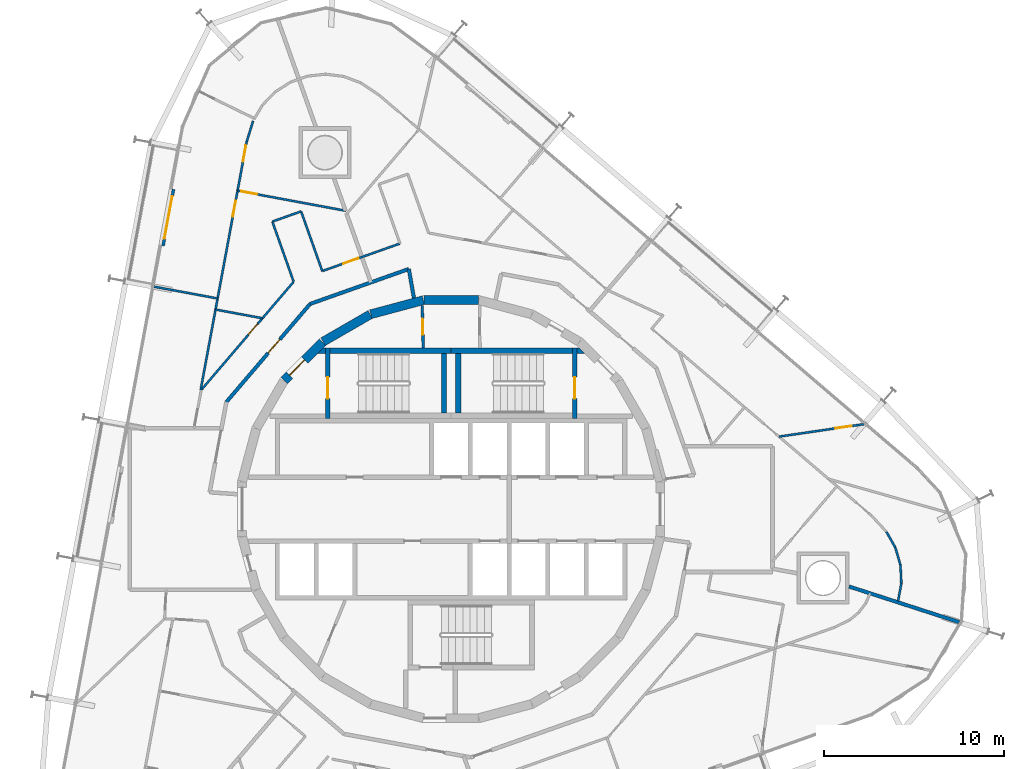
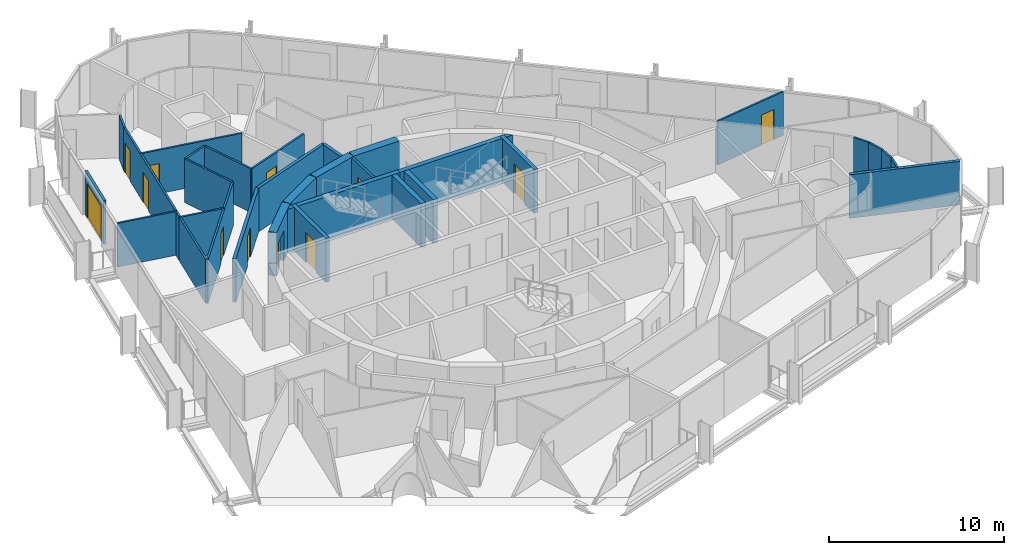
# One storey, part 14 of 17: 34 walls, 12 doors, 12 openings.
"""IFC4 building model written with IfcOpenShell, lengths in metres."""

from ifc_helpers import new_model, si_unit, direction, frame, frame_2d, origin, place, context, subcontext, project, spatial, polyline, rectangle, outline, extrude, material, layer, layer_set, type_object, element, fill, save


model = new_model("IFC4")

# Units and contexts
model_context = context("Model", 3, precision=1e-05, world=origin(), true_north=direction((0.0, 1.0)))
body_context = subcontext(model_context, "Body", "Model", "MODEL_VIEW")
ifc_project = project(units=[si_unit("LENGTHUNIT", "METRE"), si_unit("AREAUNIT", "SQUARE_METRE"), si_unit("VOLUMEUNIT", "CUBIC_METRE"), si_unit("PLANEANGLEUNIT", "RADIAN"), si_unit("MASSUNIT", "GRAM", prefix="KILO")], contexts=[model_context])

# Site, building, storey
site_placement = place(None, origin())
site = spatial("IfcSite", under=ifc_project, at=site_placement, CompositionType="ELEMENT")
building_placement = place(site_placement, origin())
building = spatial("IfcBuilding", under=site, at=building_placement, Name="Spindle Arch Residences", CompositionType="ELEMENT")
storey_placement = place(building_placement, frame((0.0, 0.0, 179.699951171875)))
storey = spatial("IfcBuildingStorey", under=building, at=storey_placement, Name="L45", CompositionType="ELEMENT", Elevation=179.699951171875)

# Walls
ifc_material_1 = material(Name="Concrete C50/60", Category="concrete")
ifc_layer_1 = layer(ifc_material_1, 0.5)
ifc_layer_set_1 = layer_set([ifc_layer_1], Name="Core outline wall 500")
wall_type_1 = type_object("IfcWallType", Name="Core outline wall 500", PredefinedType="SHEAR", material=ifc_layer_set_1)
for number, where, z_axis, x_axis, name in (
    (1, (1.516357421875, 11.647216796875, 0.0), (0.0, 0.0, 1.0), (-1.0, 0.0, 0.0), "Core outline wall 12"),
    (2, (-1.5498046875, 11.642822265625, 0.0), (0.0, 0.0, 1.0), (-0.965948410781, -0.258734743916, 0.0), "Core outline wall 13"),
    (3, (-4.510498046875, 10.84521484375, 0.0), (0.0, 0.0, 1.0), (-0.865975092491, -0.500087131594, 0.0), "Core outline wall 14"),
):
    element("IfcWall", number, at=place(storey_placement, frame(where, z_axis=z_axis, x_axis=x_axis)), inside=storey, type_object=wall_type_1, Name=name, PredefinedType="SHEAR", context=body_context, shape_type="SweptSolid", body=[
        extrude(rectangle(XDim=3.03271484375, YDim=0.5, at=frame_2d((1.516357421875, 0.0))), origin(), (0.0, 0.0, 1.0), 3.050048828125),
    ])

# Wall, opening, door
wall_1_placement = place(storey_placement, frame((-7.163818359375, 9.30810546875, 0.0), z_axis=(0.0, 0.0, 1.0), x_axis=(-0.707106781187, -0.707106781187, 0.0)))
wall_1 = element("IfcWall", 4, at=wall_1_placement, inside=storey, type_object=wall_type_1, Name="Core outline wall 15", PredefinedType="SHEAR", context=body_context, shape_type="SweptSolid", body=[
    extrude(rectangle(XDim=3.032470703125, YDim=0.5, at=frame_2d((1.51611328125, 0.0))), origin(), (0.0, 0.0, 1.0), 3.050048828125),
])
opening_1_placement = place(wall_1_placement, frame((1.416259765625, 0.0, 0.0)))
opening_1 = element("IfcOpeningElement", 5, at=opening_1_placement, cuts=wall_1, Name="Opening R4C0-AD02", PredefinedType="OPENING", context=body_context, shape_type="SweptSolid", body=[
    extrude(rectangle(XDim=1.199951171875, YDim=2.10009765625, at=frame_2d((0.60009765625, 1.050048828125))), frame((0.0, 0.260009765625, 0.0), z_axis=(0.0, -1.0, 0.0), x_axis=(1.0, 0.0, 0.0)), (0.0, 0.0, 1.0), 0.52001953125),
])
ifc_material_2 = material(Name="Steel, fire-resisting door", Category="steel")
door_type_1 = type_object("IfcDoorType", Name="Stair airlock door 1200x2100", OperationType="SINGLE_SWING_LEFT", PredefinedType="DOOR", material=ifc_material_2)
door_1_placement = place(opening_1_placement, origin())
door_1 = element("IfcDoor", 6, at=door_1_placement, inside=storey, type_object=door_type_1, Name="Stair airlock door R4C0-AD02", OperationType="SINGLE_SWING_RIGHT", OverallHeight=2.10009765625, OverallWidth=1.199951171875, PredefinedType="DOOR", context=body_context, shape_type="SweptSolid", body=[
    extrude(rectangle(XDim=1.199951171875, YDim=2.10009765625, at=frame_2d((0.60009765625, 1.050048828125))), frame((0.0, 0.02490234375, 0.0), z_axis=(0.0, -1.0, 0.0), x_axis=(1.0, 0.0, 0.0)), (0.0, 0.0, 1.0), 0.050048828125),
])
fill(opening_1, door_1)

# Walls
ifc_material_3 = material(Name="Calcium silicate block, plastered")
ifc_layer_2 = layer(ifc_material_3, 0.199951171875)
ifc_layer_set_2 = layer_set([ifc_layer_2], Name="Corridor wall 200")
wall_type_2 = type_object("IfcWallType", Name="Corridor wall 200", PredefinedType="STANDARD", material=ifc_layer_set_2)
wall_2_placement = place(storey_placement, frame((-2.07373046875, 11.76123046875, 0.0), z_axis=(0.0, 0.0, 1.0), x_axis=(-0.1736412798, 0.984808969267, 0.0)))
element("IfcWall", 7, at=wall_2_placement, inside=storey, type_object=wall_type_2, Name="Corridor wall R4C0-W009", PredefinedType="STANDARD", context=body_context, shape_type="SweptSolid", body=[
    extrude(rectangle(XDim=1.6435546875, YDim=0.199951171875, at=frame_2d((0.82177734375, 0.0))), origin(), (0.0, 0.0, 1.0), 3.050048828125),
])
wall_3_placement = place(storey_placement, frame((-2.359130859375, 13.3798828125, 0.0), z_axis=(0.0, 0.0, 1.0), x_axis=(-0.942647529236, -0.333789807551, 0.0)))
element("IfcWall", 8, at=wall_3_placement, inside=storey, type_object=wall_type_2, Name="Corridor wall R4C0-W010", PredefinedType="STANDARD", context=body_context, shape_type="SweptSolid", body=[
    extrude(rectangle(XDim=5.8330078125, YDim=0.199951171875, at=frame_2d((2.91650390625, 0.0))), origin(), (0.0, 0.0, 1.0), 3.050048828125),
])

# Wall, opening, door
wall_4_placement = place(storey_placement, frame((-7.857666015625, 11.432861328125, 0.0), z_axis=(0.0, 0.0, 1.0), x_axis=(-0.649440801937, -0.760412154545, 0.0)))
wall_4 = element("IfcWall", 9, at=wall_4_placement, inside=storey, type_object=wall_type_2, Name="Corridor wall R4C0-W011", PredefinedType="STANDARD", context=body_context, shape_type="SweptSolid", body=[
    extrude(rectangle(XDim=7.180908203125, YDim=0.199951171875, at=frame_2d((3.59033203125, 0.0))), origin(), (0.0, 0.0, 1.0), 3.050048828125),
])
opening_2_placement = place(wall_4_placement, frame((2.60009765625, 0.0, 0.0)))
opening_2 = element("IfcOpeningElement", 10, at=opening_2_placement, cuts=wall_4, Name="Opening R4C0-FD03", PredefinedType="OPENING", context=body_context, shape_type="SweptSolid", body=[
    extrude(rectangle(XDim=1.0, YDim=2.10009765625, at=frame_2d((0.5, 1.050048828125))), frame((0.0, 0.10986328125, 0.0), z_axis=(0.0, -1.0, 0.0), x_axis=(1.0, 0.0, 0.0)), (0.0, 0.0, 1.0), 0.219970703125),
])
ifc_material_4 = material(Name="Timber, fire-resisting door set", Category="wood")
door_type_2 = type_object("IfcDoorType", Name="Flat entrance door 1000x2100", OperationType="NOTDEFINED", PredefinedType="DOOR", material=ifc_material_4)
door_2_placement = place(opening_2_placement, origin())
door_2 = element("IfcDoor", 11, at=door_2_placement, inside=storey, type_object=door_type_2, Name="Flat entrance door R4C0-FD03", OperationType="SINGLE_SWING_LEFT", OverallHeight=2.10009765625, OverallWidth=1.0, PredefinedType="DOOR", context=body_context, shape_type="SweptSolid", body=[
    extrude(rectangle(XDim=1.0, YDim=2.10009765625, at=frame_2d((0.5, 1.050048828125))), frame((0.0, 0.02490234375, 0.0), z_axis=(0.0, -1.0, 0.0), x_axis=(1.0, 0.0, 0.0)), (0.0, 0.0, 1.0), 0.050048828125),
])
fill(opening_2, door_2)

ifc_material_5 = material(Name="Plasterboard on steel studs", Category="steel")
ifc_layer_3 = layer(ifc_material_5, 0.1201171875)
ifc_layer_set_3 = layer_set([ifc_layer_3], Name="Flat partition 120")
wall_type_3 = type_object("IfcWallType", Name="Flat partition 120", PredefinedType="PARTITIONING", material=ifc_layer_set_3)
wall_5_placement = place(storey_placement, frame((22.99365234375, 4.73388671875, 0.0), z_axis=(0.0, 0.0, 1.0), x_axis=(-0.989449286977, -0.144879634529, 0.0)))
wall_5 = element("IfcWall", 12, at=wall_5_placement, inside=storey, type_object=wall_type_3, Name="Flat partition R4C0-W045", PredefinedType="PARTITIONING", context=body_context, shape_type="SweptSolid", body=[
    extrude(rectangle(XDim=4.782470703125, YDim=0.1201171875, at=frame_2d((2.39111328125, 0.0))), origin(), (0.0, 0.0, 1.0), 3.050048828125),
])
opening_3_placement = place(wall_5_placement, frame((0.699951171875, 0.0, 0.0)))
opening_3 = element("IfcOpeningElement", 13, at=opening_3_placement, cuts=wall_5, Name="Opening R4C0-ID03", PredefinedType="OPENING", context=body_context, shape_type="SweptSolid", body=[
    extrude(rectangle(XDim=0.89990234375, YDim=2.10009765625, at=frame_2d((0.449951171875, 1.050048828125))), frame((0.0, 0.070068359375, 0.0), z_axis=(0.0, -1.0, 0.0), x_axis=(1.0, 0.0, 0.0)), (0.0, 0.0, 1.0), 0.14013671875),
])
ifc_material_6 = material(Name="Timber door set", Category="wood")
door_type_3 = type_object("IfcDoorType", Name="Room door 900x2100", OperationType="NOTDEFINED", PredefinedType="DOOR", material=ifc_material_6)
door_3_placement = place(opening_3_placement, origin())
door_3 = element("IfcDoor", 14, at=door_3_placement, inside=storey, type_object=door_type_3, Name="Room door R4C0-ID03", OperationType="SINGLE_SWING_LEFT", OverallHeight=2.10009765625, OverallWidth=0.89990234375, PredefinedType="DOOR", context=body_context, shape_type="SweptSolid", body=[
    extrude(rectangle(XDim=0.89990234375, YDim=2.10009765625, at=frame_2d((0.449951171875, 1.050048828125))), frame((0.0, 0.02490234375, 0.0), z_axis=(0.0, -1.0, 0.0), x_axis=(1.0, 0.0, 0.0)), (0.0, 0.0, 1.0), 0.050048828125),
])
fill(opening_3, door_3)

# Walls
for number, where, z_axis, x_axis, name in (
    (15, (24.893798828125, -5.130615234375, 0.0), (0.0, 0.0, 1.0), (0.182140887528, 0.983272442963, 0.0), "Flat partition R4C0-W047"),
    (16, (25.078857421875, -4.131591796875, 0.0), (0.0, 0.0, 1.0), (-0.049494233422, 0.998774409393, 0.0), "Flat partition R4C0-W048"),
):
    element("IfcWall", number, at=place(storey_placement, frame(where, z_axis=z_axis, x_axis=x_axis)), inside=storey, type_object=wall_type_3, Name=name, PredefinedType="PARTITIONING", context=body_context, shape_type="SweptSolid", body=[
        extrude(rectangle(XDim=1.01611328125, YDim=0.1201171875, at=frame_2d((0.508056640625, 0.0))), origin(), (0.0, 0.0, 1.0), 3.050048828125),
    ])
for number, where, z_axis, x_axis, name in (
    (17, (25.028564453125, -3.11669921875, 0.0), (0.0, 0.0, 1.0), (-0.278559922069, 0.96041885124, 0.0), "Flat partition R4C0-W049"),
    (18, (24.74560546875, -2.14111328125, 0.0), (0.0, 0.0, 1.0), (-0.492199796518, 0.870482257319, 0.0), "Flat partition R4C0-W050"),
):
    element("IfcWall", number, at=place(storey_placement, frame(where, z_axis=z_axis, x_axis=x_axis)), inside=storey, type_object=wall_type_3, Name=name, PredefinedType="PARTITIONING", context=body_context, shape_type="SweptSolid", body=[
        extrude(rectangle(XDim=1.015869140625, YDim=0.1201171875, at=frame_2d((0.5078125, 0.0))), origin(), (0.0, 0.0, 1.0), 3.050048828125),
    ])

# Wall, opening, door
wall_6_placement = place(storey_placement, frame((-2.8515625, 14.796875, 0.0), z_axis=(0.0, 0.0, 1.0), x_axis=(-0.942629664375, -0.333840254973, 0.0)))
wall_6 = element("IfcWall", 19, at=wall_6_placement, inside=storey, type_object=wall_type_3, Name="Flat partition R4C0-W057", PredefinedType="PARTITIONING", context=body_context, shape_type="SweptSolid", body=[
    extrude(rectangle(XDim=4.59326171875, YDim=0.1201171875, at=frame_2d((2.296630859375, 0.0))), origin(), (0.0, 0.0, 1.0), 3.050048828125),
])
opening_4_placement = place(wall_6_placement, frame((2.451171875, 0.0, 0.0)))
opening_4 = element("IfcOpeningElement", 20, at=opening_4_placement, cuts=wall_6, Name="Opening R4C0-ID11", PredefinedType="OPENING", context=body_context, shape_type="SweptSolid", body=[
    extrude(rectangle(XDim=0.89990234375, YDim=2.10009765625, at=frame_2d((0.449951171875, 1.050048828125))), frame((0.0, 0.070068359375, 0.0), z_axis=(0.0, -1.0, 0.0), x_axis=(1.0, 0.0, 0.0)), (0.0, 0.0, 1.0), 0.14013671875),
])
door_4_placement = place(opening_4_placement, origin())
door_4 = element("IfcDoor", 21, at=door_4_placement, inside=storey, type_object=door_type_3, Name="Room door R4C0-ID11", OperationType="SINGLE_SWING_LEFT", OverallHeight=2.10009765625, OverallWidth=0.89990234375, PredefinedType="DOOR", context=body_context, shape_type="SweptSolid", body=[
    extrude(rectangle(XDim=0.89990234375, YDim=2.10009765625, at=frame_2d((0.449951171875, 1.050048828125))), frame((0.0, 0.02490234375, 0.0), z_axis=(0.0, -1.0, 0.0), x_axis=(1.0, 0.0, 0.0)), (0.0, 0.0, 1.0), 0.050048828125),
])
fill(opening_4, door_4)

# Walls
wall_7_placement = place(storey_placement, frame((-7.181396484375, 13.263427734375, 0.0), z_axis=(0.0, 0.0, 1.0), x_axis=(-0.333822798183, 0.942635846663, 0.0)))
element("IfcWall", 22, at=wall_7_placement, inside=storey, type_object=wall_type_3, Name="Flat partition R4C0-W067", PredefinedType="PARTITIONING", context=body_context, shape_type="SweptSolid", body=[
    extrude(rectangle(XDim=3.52734375, YDim=0.1201171875, at=frame_2d((1.763671875, 0.0))), origin(), (0.0, 0.0, 1.0), 3.050048828125),
])
wall_8_placement = place(storey_placement, frame((-8.35888671875, 16.58837890625, 0.0), z_axis=(0.0, 0.0, 1.0), x_axis=(-0.942661115325, -0.333751436931, 0.0)))
element("IfcWall", 23, at=wall_8_placement, inside=storey, type_object=wall_type_3, Name="Flat partition R4C0-W068", PredefinedType="PARTITIONING", context=body_context, shape_type="SweptSolid", body=[
    extrude(rectangle(XDim=1.699951171875, YDim=0.1201171875, at=frame_2d((0.85009765625, 0.0))), origin(), (0.0, 0.0, 1.0), 3.050048828125),
])
wall_9_placement = place(storey_placement, frame((-9.96142578125, 16.02099609375, 0.0), z_axis=(0.0, 0.0, 1.0), x_axis=(0.333803930912, -0.94264252806, 0.0)))
element("IfcWall", 24, at=wall_9_placement, inside=storey, type_object=wall_type_3, Name="Flat partition R4C0-W069", PredefinedType="PARTITIONING", context=body_context, shape_type="SweptSolid", body=[
    extrude(rectangle(XDim=3.555908203125, YDim=0.1201171875, at=frame_2d((1.77783203125, 0.0))), origin(), (0.0, 0.0, 1.0), 3.050048828125),
])

# Wall, opening, door
wall_10_placement = place(storey_placement, frame((-8.7744140625, 12.6689453125, 0.0), z_axis=(0.0, 0.0, 1.0), x_axis=(-0.649446157105, -0.760407580855, 0.0)))
wall_10 = element("IfcWall", 25, at=wall_10_placement, inside=storey, type_object=wall_type_3, Name="Flat partition R4C0-W070", PredefinedType="PARTITIONING", context=body_context, shape_type="SweptSolid", body=[
    extrude(rectangle(XDim=7.927490234375, YDim=0.1201171875, at=frame_2d((3.9638671875, 0.0))), origin(), (0.0, 0.0, 1.0), 3.050048828125),
])
opening_5_placement = place(wall_10_placement, frame((3.074462890625, 0.0, 0.0)))
opening_5 = element("IfcOpeningElement", 26, at=opening_5_placement, cuts=wall_10, Name="Opening R4C0-BD03", PredefinedType="OPENING", context=body_context, shape_type="SweptSolid", body=[
    extrude(rectangle(XDim=0.800048828125, YDim=2.10009765625, at=frame_2d((0.39990234375, 1.050048828125))), frame((0.0, 0.070068359375, 0.0), z_axis=(0.0, -1.0, 0.0), x_axis=(1.0, 0.0, 0.0)), (0.0, 0.0, 1.0), 0.14013671875),
])
ifc_material_7 = material(Name="Timber door set", Category="wood")
door_type_4 = type_object("IfcDoorType", Name="Bathroom door 800x2100", OperationType="NOTDEFINED", PredefinedType="DOOR", material=ifc_material_7)
door_5_placement = place(opening_5_placement, origin())
door_5 = element("IfcDoor", 27, at=door_5_placement, inside=storey, type_object=door_type_4, Name="Bathroom door R4C0-BD03", OperationType="SINGLE_SWING_LEFT", OverallHeight=2.10009765625, OverallWidth=0.800048828125, PredefinedType="DOOR", context=body_context, shape_type="SweptSolid", body=[
    extrude(rectangle(XDim=0.800048828125, YDim=2.10009765625, at=frame_2d((0.39990234375, 1.050048828125))), frame((0.0, 0.02490234375, 0.0), z_axis=(0.0, -1.0, 0.0), x_axis=(1.0, 0.0, 0.0)), (0.0, 0.0, 1.0), 0.050048828125),
])
fill(opening_5, door_5)

# Wall
wall_11_placement = place(storey_placement, frame((-13.955322265625, 6.64697265625, 0.0), z_axis=(0.0, 0.0, 1.0), x_axis=(0.182264522222, 0.983249532896, 0.0)))
element("IfcWall", 28, at=wall_11_placement, inside=storey, type_object=wall_type_3, Name="Flat partition R4C0-W072", PredefinedType="PARTITIONING", context=body_context, shape_type="SweptSolid", body=[
    extrude(rectangle(XDim=4.589111328125, YDim=0.1201171875, at=frame_2d((2.29443359375, 0.0))), origin(), (0.0, 0.0, 1.0), 3.050048828125),
])

# Wall, opening, door
wall_12_placement = place(storey_placement, frame((-11.8994140625, 17.739990234375, 0.0), z_axis=(0.0, 0.0, 1.0), x_axis=(0.983254721409, -0.182236529889, 0.0)))
wall_12 = element("IfcWall", 29, at=wall_12_placement, inside=storey, type_object=wall_type_3, Name="Flat partition R4C0-W077", PredefinedType="PARTITIONING", context=body_context, shape_type="SweptSolid", body=[
    extrude(rectangle(XDim=6.1142578125, YDim=0.1201171875, at=frame_2d((3.05712890625, 0.0))), origin(), (0.0, 0.0, 1.0), 3.050048828125),
])
opening_6_placement = place(wall_12_placement, frame((0.199951171875, 0.0, 0.0)))
opening_6 = element("IfcOpeningElement", 30, at=opening_6_placement, cuts=wall_12, Name="Opening R4C0-ID13", PredefinedType="OPENING", context=body_context, shape_type="SweptSolid", body=[
    extrude(rectangle(XDim=0.89990234375, YDim=2.10009765625, at=frame_2d((0.449951171875, 1.050048828125))), frame((0.0, 0.070068359375, 0.0), z_axis=(0.0, -1.0, 0.0), x_axis=(1.0, 0.0, 0.0)), (0.0, 0.0, 1.0), 0.14013671875),
])
door_6_placement = place(opening_6_placement, origin())
door_6 = element("IfcDoor", 31, at=door_6_placement, inside=storey, type_object=door_type_3, Name="Room door R4C0-ID13", OperationType="SINGLE_SWING_LEFT", OverallHeight=2.10009765625, OverallWidth=0.89990234375, PredefinedType="DOOR", context=body_context, shape_type="SweptSolid", body=[
    extrude(rectangle(XDim=0.89990234375, YDim=2.10009765625, at=frame_2d((0.449951171875, 1.050048828125))), frame((0.0, 0.02490234375, 0.0), z_axis=(0.0, -1.0, 0.0), x_axis=(1.0, 0.0, 0.0)), (0.0, 0.0, 1.0), 0.050048828125),
])
fill(opening_6, door_6)

# Wall
wall_13_placement = place(storey_placement, frame((-11.0341796875, 21.62548828125, 0.0), z_axis=(0.0, 0.0, 1.0), x_axis=(-0.295260042089, -0.955416928647, 0.0)))
element("IfcWall", 32, at=wall_13_placement, inside=storey, type_object=wall_type_3, Name="Flat partition R4C0-W078", PredefinedType="PARTITIONING", context=body_context, shape_type="SweptSolid", body=[
    extrude(rectangle(XDim=1.22705078125, YDim=0.1201171875, at=frame_2d((0.613525390625, 0.0))), origin(), (0.0, 0.0, 1.0), 3.050048828125),
])

# Wall, openings, doors
wall_14_placement = place(storey_placement, frame((-11.396484375, 20.453125, 0.0), z_axis=(0.0, 0.0, 1.0), x_axis=(-0.182223370439, -0.983257160292, 0.0)))
wall_14 = element("IfcWall", 33, at=wall_14_placement, inside=storey, type_object=wall_type_3, Name="Flat partition R4C0-W079", PredefinedType="PARTITIONING", context=body_context, shape_type="SweptSolid", body=[
    extrude(rectangle(XDim=9.4521484375, YDim=0.1201171875, at=frame_2d((4.72607421875, 0.0))), origin(), (0.0, 0.0, 1.0), 3.050048828125),
])
opening_7_placement = place(wall_14_placement, frame((3.3193359375, 0.0, 0.0)))
opening_7 = element("IfcOpeningElement", 34, at=opening_7_placement, cuts=wall_14, Name="Opening R4C0-ID14", PredefinedType="OPENING", context=body_context, shape_type="SweptSolid", body=[
    extrude(rectangle(XDim=0.89990234375, YDim=2.10009765625, at=frame_2d((0.449951171875, 1.050048828125))), frame((0.0, 0.070068359375, 0.0), z_axis=(0.0, -1.0, 0.0), x_axis=(1.0, 0.0, 0.0)), (0.0, 0.0, 1.0), 0.14013671875),
])
opening_8_placement = place(wall_14_placement, frame((0.199951171875, 0.0, 0.0)))
opening_8 = element("IfcOpeningElement", 35, at=opening_8_placement, cuts=wall_14, Name="Opening R4C0-ID16", PredefinedType="OPENING", context=body_context, shape_type="SweptSolid", body=[
    extrude(rectangle(XDim=0.89990234375, YDim=2.10009765625, at=frame_2d((0.449951171875, 1.050048828125))), frame((0.0, 0.070068359375, 0.0), z_axis=(0.0, -1.0, 0.0), x_axis=(1.0, 0.0, 0.0)), (0.0, 0.0, 1.0), 0.14013671875),
])
door_7_placement = place(opening_7_placement, origin())
door_7 = element("IfcDoor", 36, at=door_7_placement, inside=storey, type_object=door_type_3, Name="Room door R4C0-ID14", OperationType="SINGLE_SWING_LEFT", OverallHeight=2.10009765625, OverallWidth=0.89990234375, PredefinedType="DOOR", context=body_context, shape_type="SweptSolid", body=[
    extrude(rectangle(XDim=0.89990234375, YDim=2.10009765625, at=frame_2d((0.449951171875, 1.050048828125))), frame((0.0, 0.02490234375, 0.0), z_axis=(0.0, -1.0, 0.0), x_axis=(1.0, 0.0, 0.0)), (0.0, 0.0, 1.0), 0.050048828125),
])
fill(opening_7, door_7)
door_8_placement = place(opening_8_placement, origin())
door_8 = element("IfcDoor", 37, at=door_8_placement, inside=storey, type_object=door_type_3, Name="Room door R4C0-ID16", OperationType="SINGLE_SWING_RIGHT", OverallHeight=2.10009765625, OverallWidth=0.89990234375, PredefinedType="DOOR", context=body_context, shape_type="SweptSolid", body=[
    extrude(rectangle(XDim=0.89990234375, YDim=2.10009765625, at=frame_2d((0.449951171875, 1.050048828125))), frame((0.0, 0.02490234375, 0.0), z_axis=(0.0, -1.0, 0.0), x_axis=(1.0, 0.0, 0.0)), (0.0, 0.0, 1.0), 0.050048828125),
])
fill(opening_8, door_8)

# Walls
wall_15_placement = place(storey_placement, frame((-13.126220703125, 11.1201171875, 0.0), z_axis=(0.0, 0.0, 1.0), x_axis=(0.983257646361, -0.182220747645, 0.0)))
element("IfcWall", 38, at=wall_15_placement, inside=storey, type_object=wall_type_3, Name="Flat partition R4C0-W080", PredefinedType="PARTITIONING", context=body_context, shape_type="SweptSolid", body=[
    extrude(rectangle(XDim=2.659423828125, YDim=0.1201171875, at=frame_2d((1.32958984375, 0.0))), origin(), (0.0, 0.0, 1.0), 3.050048828125),
])
wall_16_placement = place(storey_placement, frame((-16.551513671875, 12.393798828125, 0.0), z_axis=(0.0, 0.0, 1.0), x_axis=(0.983257712156, -0.182220392618, 0.0)))
element("IfcWall", 39, at=wall_16_placement, inside=storey, type_object=wall_type_3, Name="Flat partition R4C0-W081", PredefinedType="PARTITIONING", context=body_context, shape_type="SweptSolid", body=[
    extrude(rectangle(XDim=3.60009765625, YDim=0.1201171875, at=frame_2d((1.800048828125, 0.0))), origin(), (0.0, 0.0, 1.0), 3.050048828125),
])
ifc_material_8 = material(Name="Calcium silicate block, plastered")
ifc_layer_4 = layer(ifc_material_8, 0.199951171875)
ifc_layer_set_4 = layer_set([ifc_layer_4], Name="Flat party wall 200")
wall_type_4 = type_object("IfcWallType", Name="Flat party wall 200", PredefinedType="STANDARD", material=ifc_layer_set_4)
wall_17_placement = place(storey_placement, frame((22.1630859375, -4.30810546875, 0.0), z_axis=(0.0, 0.0, 1.0), x_axis=(0.951422718769, -0.307887658426, 0.0)))
element("IfcWall", 40, at=wall_17_placement, inside=storey, type_object=wall_type_4, Name="Flat party wall R4C0-W027", PredefinedType="STANDARD", context=body_context, shape_type="SweptSolid", body=[
    extrude(rectangle(XDim=6.464111328125, YDim=0.199951171875, at=frame_2d((3.23193359375, 0.0))), origin(), (0.0, 0.0, 1.0), 3.050048828125),
])

# Wall, opening, door
ifc_material_9 = material(Name="Non-combustible mineral wool insulated aluminium faced external wall (K0)", Category="aluminium")
ifc_layer_5 = layer(ifc_material_9, 0.159912109375)
ifc_layer_set_5 = layer_set([ifc_layer_5], Name="Insulated external wall panel 160")
wall_type_5 = type_object("IfcWallType", Name="Insulated external wall panel 160", PredefinedType="STANDARD", material=ifc_layer_set_5)
wall_18_placement = place(storey_placement, frame((-15.465087890625, 17.816650390625, 0.0), z_axis=(0.0, 0.0, 1.0), x_axis=(-0.182201278434, -0.983261254264, 0.0)))
wall_18 = element("IfcWall", 41, at=wall_18_placement, inside=storey, type_object=wall_type_5, Name="External wall L45 bay 13", PredefinedType="STANDARD", context=body_context, shape_type="SweptSolid", body=[
    extrude(rectangle(XDim=3.19970703125, YDim=0.159912109375, at=frame_2d((1.599853515625, 0.0))), origin(), (0.0, 0.0, 1.0), 3.050048828125),
])
opening_9_placement = place(wall_18_placement, frame((0.39990234375, 0.0, 0.0)))
opening_9 = element("IfcOpeningElement", 42, at=opening_9_placement, cuts=wall_18, Name="Opening BD13", PredefinedType="OPENING", context=body_context, shape_type="SweptSolid", body=[
    extrude(rectangle(XDim=2.39990234375, YDim=2.39990234375, at=frame_2d((1.199951171875, 1.199951171875))), frame((0.0, 0.08984375, 0.0), z_axis=(0.0, -1.0, 0.0), x_axis=(1.0, 0.0, 0.0)), (0.0, 0.0, 1.0), 0.179931640625),
])
ifc_material_10 = material(Name="Bronze aluminium frame, tinted double glazing", Category="aluminium")
door_type_5 = type_object("IfcDoorType", Name="Sliding glazed balcony door 2400x2400", OperationType="DOUBLE_DOOR_SLIDING", PredefinedType="DOOR", material=ifc_material_10)
door_9_placement = place(opening_9_placement, origin())
door_9 = element("IfcDoor", 43, at=door_9_placement, inside=storey, type_object=door_type_5, Name="Balcony door BD13", OperationType="DOUBLE_DOOR_SLIDING", OverallHeight=2.39990234375, OverallWidth=2.39990234375, PredefinedType="DOOR", context=body_context, shape_type="SweptSolid", body=[
    extrude(rectangle(XDim=2.39990234375, YDim=2.39990234375, at=frame_2d((1.199951171875, 1.199951171875))), frame((0.0, 0.02490234375, 0.0), z_axis=(0.0, -1.0, 0.0), x_axis=(1.0, 0.0, 0.0)), (0.0, 0.0, 1.0), 0.050048828125),
])
fill(opening_9, door_9)

ifc_material_11 = material(Name="Concrete C25/30", Category="concrete")
ifc_layer_6 = layer(ifc_material_11, 0.14990234375)
ifc_layer_set_6 = layer_set([ifc_layer_6], Name="Service room partition 150")
wall_type_6 = type_object("IfcWallType", Name="Service room partition 150", PredefinedType="PARTITIONING", material=ifc_layer_set_6)
wall_19_placement = place(storey_placement, frame((-1.555419921875, 8.989990234375, 0.0), z_axis=(0.0, 0.0, 1.0), x_axis=(-0.024125549686, 0.999708936567, 0.0)))
wall_19 = element("IfcWall", 44, at=wall_19_placement, inside=storey, type_object=wall_type_6, Name="Core service room partition", PredefinedType="PARTITIONING", context=body_context, shape_type="SweptSolid", body=[
    extrude(rectangle(XDim=2.35791015625, YDim=0.14990234375, at=frame_2d((1.178955078125, 0.0))), origin(), (0.0, 0.0, 1.0), 3.050048828125),
])
opening_10_placement = place(wall_19_placement, frame((0.72900390625, 0.0, 0.0)))
opening_10 = element("IfcOpeningElement", 45, at=opening_10_placement, cuts=wall_19, Name="Opening R4C0-WD06", PredefinedType="OPENING", context=body_context, shape_type="SweptSolid", body=[
    extrude(rectangle(XDim=0.89990234375, YDim=2.10009765625, at=frame_2d((0.449951171875, 1.050048828125))), frame((0.0, 0.0849609375, 0.0), z_axis=(0.0, -1.0, 0.0), x_axis=(1.0, 0.0, 0.0)), (0.0, 0.0, 1.0), 0.169921875),
])
ifc_material_12 = material(Name="Steel, fire-resisting door", Category="steel")
door_type_6 = type_object("IfcDoorType", Name="Service room door 900x2100", OperationType="SINGLE_SWING_LEFT", PredefinedType="DOOR", material=ifc_material_12)
door_10_placement = place(opening_10_placement, origin())
door_10 = element("IfcDoor", 46, at=door_10_placement, inside=storey, type_object=door_type_6, Name="Service room door R4C0-WD06", OperationType="SINGLE_SWING_RIGHT", OverallHeight=2.10009765625, OverallWidth=0.89990234375, PredefinedType="DOOR", context=body_context, shape_type="SweptSolid", body=[
    extrude(rectangle(XDim=0.89990234375, YDim=2.10009765625, at=frame_2d((0.449951171875, 1.050048828125))), frame((0.0, 0.02490234375, 0.0), z_axis=(0.0, -1.0, 0.0), x_axis=(1.0, 0.0, 0.0)), (0.0, 0.0, 1.0), 0.050048828125),
])
fill(opening_10, door_10)

# Walls
ifc_material_13 = material(Name="Concrete C40/50", Category="concrete")
wall_type_7 = type_object("IfcWallType", Name="Stair airlock wall profile", PredefinedType="SHEAR", material=ifc_material_13)
wall_20_placement = place(storey_placement, origin())
element("IfcWall", 47, at=wall_20_placement, inside=storey, type_object=wall_type_7, Name="Stair ST-1 airlock wall N", PredefinedType="SHEAR", context=body_context, shape_type="SweptSolid", body=[
    extrude(outline(polyline([(7.4482421875, 8.669921875), (7.0, 8.669921875), (7.0, 8.969970703125), (7.148193359375, 8.969970703125), (7.4482421875, 8.669921875)])), origin(), (0.0, 0.0, 1.0), 3.050048828125),
])
wall_21_placement = place(storey_placement, origin())
element("IfcWall", 48, at=wall_21_placement, inside=storey, type_object=wall_type_7, Name="Stair ST-2 airlock wall N", PredefinedType="SHEAR", context=body_context, shape_type="SweptSolid", body=[
    extrude(outline(polyline([(-7.148193359375, 8.969970703125), (-7.0, 8.969970703125), (-7.0, 8.669921875), (-7.4482421875, 8.669921875), (-7.148193359375, 8.969970703125)])), origin(), (0.0, 0.0, 1.0), 3.050048828125),
])

# Wall, opening, door
ifc_material_14 = material(Name="Concrete C50/60", Category="concrete")
ifc_layer_7 = layer(ifc_material_14, 0.25)
ifc_layer_set_7 = layer_set([ifc_layer_7], Name="Stair enclosure wall 250")
wall_type_8 = type_object("IfcWallType", Name="Stair enclosure wall 250", PredefinedType="SHEAR", material=ifc_layer_set_7)
wall_22_placement = place(storey_placement, frame((6.875, 5.050048828125, 0.0), z_axis=(0.0, 0.0, 1.0), x_axis=(0.0, 1.0, 0.0)))
wall_22 = element("IfcWall", 49, at=wall_22_placement, inside=storey, type_object=wall_type_8, Name="Stair ST-1 door wall", PredefinedType="SHEAR", context=body_context, shape_type="SweptSolid", body=[
    extrude(rectangle(XDim=3.919921875, YDim=0.25, at=frame_2d((1.9599609375, 0.0))), origin(), (0.0, 0.0, 1.0), 3.050048828125),
])
opening_11_placement = place(wall_22_placement, frame((1.110107421875, 0.0, 0.0)))
opening_11 = element("IfcOpeningElement", 50, at=opening_11_placement, cuts=wall_22, Name="Opening R4C0-SD01", PredefinedType="OPENING", context=body_context, shape_type="SweptSolid", body=[
    extrude(rectangle(XDim=1.199951171875, YDim=2.10009765625, at=frame_2d((0.60009765625, 1.050048828125))), frame((0.0, 0.135009765625, 0.0), z_axis=(0.0, -1.0, 0.0), x_axis=(1.0, 0.0, 0.0)), (0.0, 0.0, 1.0), 0.27001953125),
])
ifc_material_15 = material(Name="Steel, fire-resisting door", Category="steel")
door_type_7 = type_object("IfcDoorType", Name="Stair door 1200x2100", OperationType="SINGLE_SWING_RIGHT", PredefinedType="DOOR", material=ifc_material_15)
door_11_placement = place(opening_11_placement, origin())
door_11 = element("IfcDoor", 51, at=door_11_placement, inside=storey, type_object=door_type_7, Name="Stair door R4C0-SD01", OperationType="SINGLE_SWING_LEFT", OverallHeight=2.10009765625, OverallWidth=1.199951171875, PredefinedType="DOOR", context=body_context, shape_type="SweptSolid", body=[
    extrude(rectangle(XDim=1.199951171875, YDim=2.10009765625, at=frame_2d((0.60009765625, 1.050048828125))), frame((0.0, 0.02490234375, 0.0), z_axis=(0.0, -1.0, 0.0), x_axis=(1.0, 0.0, 0.0)), (0.0, 0.0, 1.0), 0.050048828125),
])
fill(opening_11, door_11)

wall_23_placement = place(storey_placement, frame((-6.875, 8.969970703125, 0.0), z_axis=(0.0, 0.0, 1.0), x_axis=(0.0, -1.0, 0.0)))
wall_23 = element("IfcWall", 52, at=wall_23_placement, inside=storey, type_object=wall_type_8, Name="Stair ST-2 door wall", PredefinedType="SHEAR", context=body_context, shape_type="SweptSolid", body=[
    extrude(rectangle(XDim=3.919921875, YDim=0.25, at=frame_2d((1.9599609375, 0.0))), origin(), (0.0, 0.0, 1.0), 3.050048828125),
])
opening_12_placement = place(wall_23_placement, frame((1.610107421875, 0.0, 0.0)))
opening_12 = element("IfcOpeningElement", 53, at=opening_12_placement, cuts=wall_23, Name="Opening R4C0-SD02", PredefinedType="OPENING", context=body_context, shape_type="SweptSolid", body=[
    extrude(rectangle(XDim=1.199951171875, YDim=2.10009765625, at=frame_2d((0.60009765625, 1.050048828125))), frame((0.0, 0.135009765625, 0.0), z_axis=(0.0, -1.0, 0.0), x_axis=(1.0, 0.0, 0.0)), (0.0, 0.0, 1.0), 0.27001953125),
])
door_12_placement = place(opening_12_placement, origin())
door_12 = element("IfcDoor", 54, at=door_12_placement, inside=storey, type_object=door_type_7, Name="Stair door R4C0-SD02", OperationType="SINGLE_SWING_LEFT", OverallHeight=2.10009765625, OverallWidth=1.199951171875, PredefinedType="DOOR", context=body_context, shape_type="SweptSolid", body=[
    extrude(rectangle(XDim=1.199951171875, YDim=2.10009765625, at=frame_2d((0.60009765625, 1.050048828125))), frame((0.0, 0.02490234375, 0.0), z_axis=(0.0, -1.0, 0.0), x_axis=(1.0, 0.0, 0.0)), (0.0, 0.0, 1.0), 0.050048828125),
])
fill(opening_12, door_12)

# Walls
ifc_material_16 = material(Name="Concrete C50/60", Category="concrete")
ifc_layer_8 = layer(ifc_material_16, 0.300048828125)
ifc_layer_set_8 = layer_set([ifc_layer_8], Name="Stair enclosure wall 300")
wall_type_9 = type_object("IfcWallType", Name="Stair enclosure wall 300", PredefinedType="SHEAR", material=ifc_layer_set_8)
wall_24_placement = place(storey_placement, frame((0.0, 8.820068359375, 0.0), z_axis=(0.0, 0.0, 1.0), x_axis=(1.0, 0.0, 0.0)))
element("IfcWall", 55, at=wall_24_placement, inside=storey, type_object=wall_type_9, Name="Stair ST-1 enclosure wall N", PredefinedType="SHEAR", context=body_context, shape_type="SweptSolid", body=[
    extrude(rectangle(XDim=6.75, YDim=0.300048828125, at=frame_2d((3.375, 0.0))), origin(), (0.0, 0.0, 1.0), 3.050048828125),
])
wall_25_placement = place(storey_placement, frame((0.39990234375, 5.35009765625, 0.0), z_axis=(0.0, 0.0, 1.0), x_axis=(0.0, 1.0, 0.0)))
element("IfcWall", 56, at=wall_25_placement, inside=storey, type_object=wall_type_9, Name="Stair ST-1 enclosure wall F", PredefinedType="SHEAR", context=body_context, shape_type="SweptSolid", body=[
    extrude(rectangle(XDim=3.31982421875, YDim=0.300048828125, at=frame_2d((1.659912109375, 0.0))), origin(), (0.0, 0.0, 1.0), 3.050048828125),
])
wall_26_placement = place(storey_placement, frame((-6.75, 8.820068359375, 0.0), z_axis=(0.0, 0.0, 1.0), x_axis=(1.0, 0.0, 0.0)))
element("IfcWall", 57, at=wall_26_placement, inside=storey, type_object=wall_type_9, Name="Stair ST-2 enclosure wall N", PredefinedType="SHEAR", context=body_context, shape_type="SweptSolid", body=[
    extrude(rectangle(XDim=6.75, YDim=0.300048828125, at=frame_2d((3.375, 0.0))), origin(), (0.0, 0.0, 1.0), 3.050048828125),
])
wall_27_placement = place(storey_placement, frame((-0.39990234375, 5.35009765625, 0.0), z_axis=(0.0, 0.0, 1.0), x_axis=(0.0, 1.0, 0.0)))
element("IfcWall", 58, at=wall_27_placement, inside=storey, type_object=wall_type_9, Name="Stair ST-2 enclosure wall F", PredefinedType="SHEAR", context=body_context, shape_type="SweptSolid", body=[
    extrude(rectangle(XDim=3.31982421875, YDim=0.300048828125, at=frame_2d((1.659912109375, 0.0))), origin(), (0.0, 0.0, 1.0), 3.050048828125),
])

save(model, "model.ifc")
